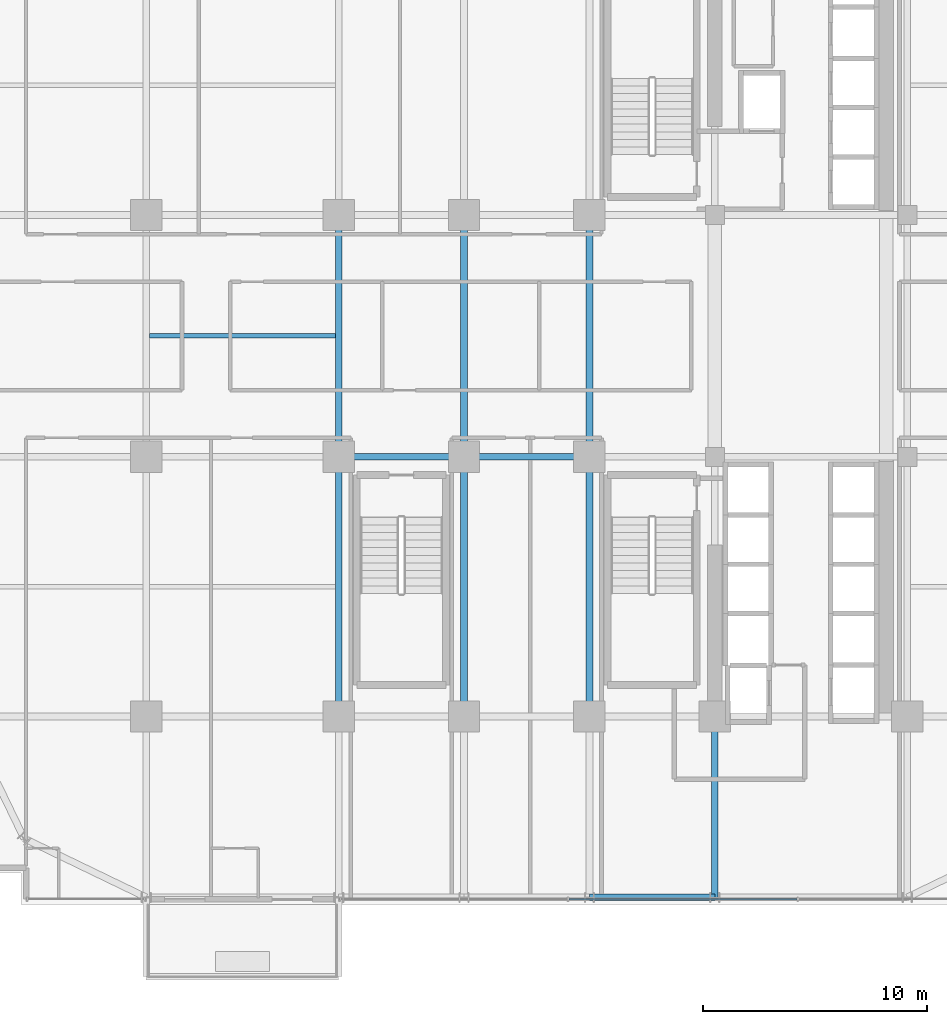
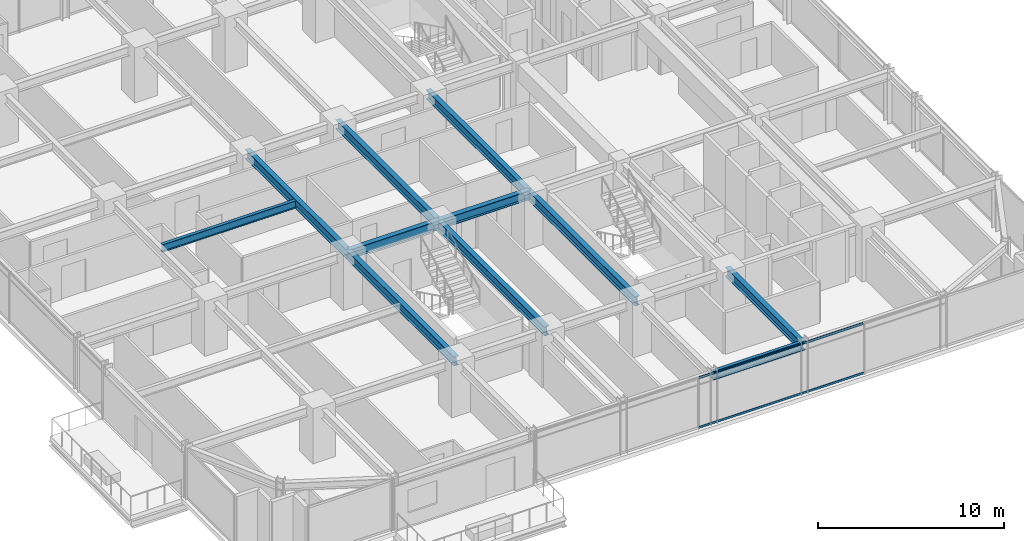
# One storey, part 11 of 37: 11 beams, 2 members, 1 element without a shape of its own.
"""IFC4 building model written with IfcOpenShell, lengths in metres."""

from ifc_helpers import new_model, si_unit, direction, frame, origin, origin_2d, place, context, subcontext, project, spatial, hollow_rectangle, i_section, extrude, source, transform, mapped, material, material_profile, profile_set, type_object, element, aggregate, save


model = new_model("IFC4")

# Units and contexts
model_context = context("Model", 3, precision=1e-05, world=origin(), true_north=direction((0.0, 1.0)))
body_context = subcontext(model_context, "Body", "Model", "MODEL_VIEW")
ifc_project = project(units=[si_unit("LENGTHUNIT", "METRE"), si_unit("AREAUNIT", "SQUARE_METRE"), si_unit("VOLUMEUNIT", "CUBIC_METRE"), si_unit("PLANEANGLEUNIT", "RADIAN"), si_unit("MASSUNIT", "GRAM", prefix="KILO")], contexts=[model_context])

# Site, building, storey
site_placement = place(None, origin())
site = spatial("IfcSite", under=ifc_project, at=site_placement, CompositionType="ELEMENT")
building_placement = place(site_placement, origin())
building = spatial("IfcBuilding", under=site, at=building_placement, Name="Nahalor Promenade Grand Hotel", CompositionType="ELEMENT")
storey_placement = place(building_placement, frame((0.0, 0.0, 36.050048828125)))
storey = spatial("IfcBuildingStorey", under=building, at=storey_placement, Name="L07", CompositionType="ELEMENT", Elevation=36.050048828125)

# Beams
ifc_material_1 = material(Name="Steel S355JR", Category="steel")
ifc_material_profile_1 = material_profile(ifc_material_1, i_section(OverallWidth=0.3, OverallDepth=0.6, WebThickness=0.0155, FlangeThickness=0.03, at=origin_2d()), Name="HEB 600")
ifc_profile_set_1 = profile_set([ifc_material_profile_1], Name="Steel S355JR")
beam_type_1 = type_object("IfcBeamType", Name="Beam-Girder-HEB600", PredefinedType="BEAM", material=ifc_profile_set_1)
shared_shape_1 = source(origin(), body_context, "Body", "SweptSolid", [
    extrude(i_section(OverallWidth=0.3, OverallDepth=0.6, WebThickness=0.0155, FlangeThickness=0.03, at=origin_2d()), origin(), (0.0, 0.0, 1.0), 5.599853515625),
])
beam_1_placement = place(storey_placement, frame((-8.39990234375, -5.39990234375, 3.070068359375), z_axis=(1.0, 0.0, 0.0), x_axis=(0.0, 1.0, 0.0)))
element("IfcBeam", 1, at=beam_1_placement, inside=storey, type_object=beam_type_1, Name="BM-L07-GX-1-2", PredefinedType="BEAM", context=body_context, shape_type="MappedRepresentation", body=[
    mapped(shared_shape_1, transform((0.0, 0.0, 0.0), scale=1.0)),
])
shared_shape_2 = source(origin(), body_context, "Body", "SweptSolid", [
    extrude(i_section(OverallWidth=0.3, OverallDepth=0.6, WebThickness=0.0155, FlangeThickness=0.03, at=origin_2d()), origin(), (0.0, 0.0, 1.0), 5.60009765625),
])
beam_2_placement = place(storey_placement, frame((-2.800048828125, -5.39990234375, 3.070068359375), z_axis=(1.0, 0.0, 0.0), x_axis=(0.0, 1.0, 0.0)))
element("IfcBeam", 2, at=beam_2_placement, inside=storey, type_object=beam_type_1, Name="BM-L07-GX-1-3", PredefinedType="BEAM", context=body_context, shape_type="MappedRepresentation", body=[
    mapped(shared_shape_2, transform((0.0, 0.0, 0.0), scale=1.0)),
])
shared_shape_3 = source(origin(), body_context, "Body", "SweptSolid", [
    extrude(i_section(OverallWidth=0.3, OverallDepth=0.6, WebThickness=0.0155, FlangeThickness=0.03, at=origin_2d()), origin(), (0.0, 0.0, 1.0), 11.60009765625),
])
for number, where, z_axis, x_axis, name in (
    (3, (-8.39990234375, -17.0, 3.070068359375), (0.0, 1.0, 0.0), (-1.0, 0.0, 0.0), "BM-L07-GY-1-1"),
    (4, (-2.800048828125, -17.0, 3.070068359375), (0.0, 1.0, 0.0), (-1.0, 0.0, 0.0), "BM-L07-GY-2-1"),
    (5, (2.800048828125, -17.0, 3.070068359375), (0.0, 1.0, 0.0), (-1.0, 0.0, 0.0), "BM-L07-GY-3-1"),
):
    element("IfcBeam", number, at=place(storey_placement, frame(where, z_axis=z_axis, x_axis=x_axis)), inside=storey, type_object=beam_type_1, Name=name, PredefinedType="BEAM", context=body_context, shape_type="MappedRepresentation", body=[
        mapped(shared_shape_3, transform((0.0, 0.0, 0.0), scale=1.0)),
    ])
shared_shape_4 = source(origin(), body_context, "Body", "SweptSolid", [
    extrude(i_section(OverallWidth=0.3, OverallDepth=0.6, WebThickness=0.0155, FlangeThickness=0.03, at=origin_2d()), origin(), (0.0, 0.0, 1.0), 10.7998046875),
])
for number, where, z_axis, x_axis, name in (
    (6, (-8.39990234375, -5.39990234375, 3.070068359375), (0.0, 1.0, 0.0), (-1.0, 0.0, 0.0), "BM-L07-GY-1-2"),
    (7, (-2.800048828125, -5.39990234375, 3.070068359375), (0.0, 1.0, 0.0), (-1.0, 0.0, 0.0), "BM-L07-GY-2-2"),
    (8, (2.800048828125, -5.39990234375, 3.070068359375), (0.0, 1.0, 0.0), (-1.0, 0.0, 0.0), "BM-L07-GY-3-2"),
):
    element("IfcBeam", number, at=place(storey_placement, frame(where, z_axis=z_axis, x_axis=x_axis)), inside=storey, type_object=beam_type_1, Name=name, PredefinedType="BEAM", context=body_context, shape_type="MappedRepresentation", body=[
        mapped(shared_shape_4, transform((0.0, 0.0, 0.0), scale=1.0)),
    ])
ifc_material_profile_2 = material_profile(ifc_material_1, i_section(OverallWidth=0.3, OverallDepth=0.5, WebThickness=0.0145, FlangeThickness=0.028, at=origin_2d()), Name="HEB 500")
ifc_profile_set_2 = profile_set([ifc_material_profile_2], Name="Steel S355JR")
beam_type_2 = type_object("IfcBeamType", Name="Beam-Spandrel-HEB500", PredefinedType="SPANDREL", material=ifc_profile_set_2)
shared_shape_5 = source(origin(), body_context, "Body", "SweptSolid", [
    extrude(i_section(OverallWidth=0.3, OverallDepth=0.5, WebThickness=0.0145, FlangeThickness=0.028, at=origin_2d()), origin(), (0.0, 0.0, 1.0), 5.599853515625),
])
beam_3_placement = place(storey_placement, frame((2.800048828125, -25.080078125, 3.119873046875), z_axis=(1.0, 0.0, 0.0), x_axis=(0.0, 1.0, 0.0)))
element("IfcBeam", 9, at=beam_3_placement, inside=storey, type_object=beam_type_2, Name="BM-L07-SP-S-3", PredefinedType="SPANDREL", context=body_context, shape_type="MappedRepresentation", body=[
    mapped(shared_shape_5, transform((0.0, 0.0, 0.0), scale=1.0)),
])
ifc_material_profile_3 = material_profile(ifc_material_1, i_section(OverallWidth=0.2, OverallDepth=0.5, WebThickness=0.0102, FlangeThickness=0.016, at=origin_2d()), Name="IPE 500")
ifc_profile_set_3 = profile_set([ifc_material_profile_3], Name="Steel S355JR")
beam_type_3 = type_object("IfcBeamType", Name="Beam-Joist-IPE500", PredefinedType="JOIST", material=ifc_profile_set_3)
shared_shape_6 = source(origin(), body_context, "Body", "SweptSolid", [
    extrude(i_section(OverallWidth=0.2, OverallDepth=0.5, WebThickness=0.0102, FlangeThickness=0.016, at=origin_2d()), origin(), (0.0, 0.0, 1.0), 8.300048828125),
])
beam_4_placement = place(storey_placement, frame((-16.85009765625, 0.0, 3.119873046875), z_axis=(1.0, 0.0, 0.0), x_axis=(0.0, 1.0, 0.0)))
element("IfcBeam", 10, at=beam_4_placement, inside=storey, type_object=beam_type_3, Name="BM-L07-JSC-0", PredefinedType="JOIST", context=body_context, shape_type="MappedRepresentation", body=[
    mapped(shared_shape_6, transform((0.0, 0.0, 0.0), scale=1.0)),
])
shared_shape_7 = source(origin(), body_context, "Body", "SweptSolid", [
    extrude(i_section(OverallWidth=0.3, OverallDepth=0.6, WebThickness=0.0155, FlangeThickness=0.03, at=origin_2d()), origin(), (0.0, 0.0, 1.0), 8.080078125),
])
beam_5_placement = place(storey_placement, frame((8.39990234375, -25.080078125, 3.070068359375), z_axis=(0.0, 1.0, 0.0), x_axis=(-1.0, 0.0, 0.0)))
element("IfcBeam", 11, at=beam_5_placement, inside=storey, type_object=beam_type_1, Name="BM-L07-GY-4-0", PredefinedType="BEAM", context=body_context, shape_type="MappedRepresentation", body=[
    mapped(shared_shape_7, transform((0.0, 0.0, 0.0), scale=1.0)),
])

# Curtain wall, members
ifc_material_2 = material(Name="Anodised Bronze Aluminium EN AW-6063 T6", Category="aluminium")
curtain_wall_type = type_object("IfcCurtainWallType", Name="CW2 Typical Hotel Flush Bronze Unitised Curtain Wall", PredefinedType="USERDEFINED", material=ifc_material_2)
curtain_wall_placement = place(storey_placement, origin())
curtain_wall = element("IfcCurtainWall", 12, at=curtain_wall_placement, inside=storey, type_object=curtain_wall_type, Name="L07 Curtain Wall CW-L07-S-3", ObjectType="UNITISED_CURTAIN_WALL", PredefinedType="USERDEFINED")
ifc_material_profile_4 = material_profile(ifc_material_2, hollow_rectangle(XDim=0.065, YDim=0.13, WallThickness=0.004, at=origin_2d()), Name="CWT 65x130x4")
ifc_profile_set_4 = profile_set([ifc_material_profile_4], Name="Anodised Bronze Aluminium EN AW-6063 T6")
member_type = type_object("IfcMemberType", Name="CWT2 Typical Bronze Transom 65x130", PredefinedType="USERDEFINED", material=ifc_profile_set_4)
shared_shape_8 = source(origin(), body_context, "Body", "SweptSolid", [
    extrude(hollow_rectangle(XDim=0.065, YDim=0.13, WallThickness=0.004, at=origin_2d()), origin(), (0.0, 0.0, 1.0), 10.1884765625),
])
member_1_placement = place(storey_placement, frame((1.8857421875, -25.159912109375, 0.06494140625), z_axis=(1.0, 0.0, 0.0), x_axis=(0.0, 1.0, 0.0)))
member_1 = element("IfcMember", 13, at=member_1_placement, type_object=member_type, Name="CW-L07-S-3 Transom 1-0", ObjectType="TRANSOM", PredefinedType="USERDEFINED", context=body_context, shape_type="MappedRepresentation", body=[
    mapped(shared_shape_8, transform((0.0, 0.0, 0.0), scale=1.0)),
])
member_2_placement = place(storey_placement, frame((1.8857421875, -25.159912109375, 3.304931640625), z_axis=(1.0, 0.0, 0.0), x_axis=(0.0, 1.0, 0.0)))
member_2 = element("IfcMember", 14, at=member_2_placement, type_object=member_type, Name="CW-L07-S-3 Transom 1-1", ObjectType="TRANSOM", PredefinedType="USERDEFINED", context=body_context, shape_type="MappedRepresentation", body=[
    mapped(shared_shape_8, transform((0.0, 0.0, 0.0), scale=1.0)),
])
aggregate(curtain_wall, [member_1, member_2])

save(model, "model.ifc")
